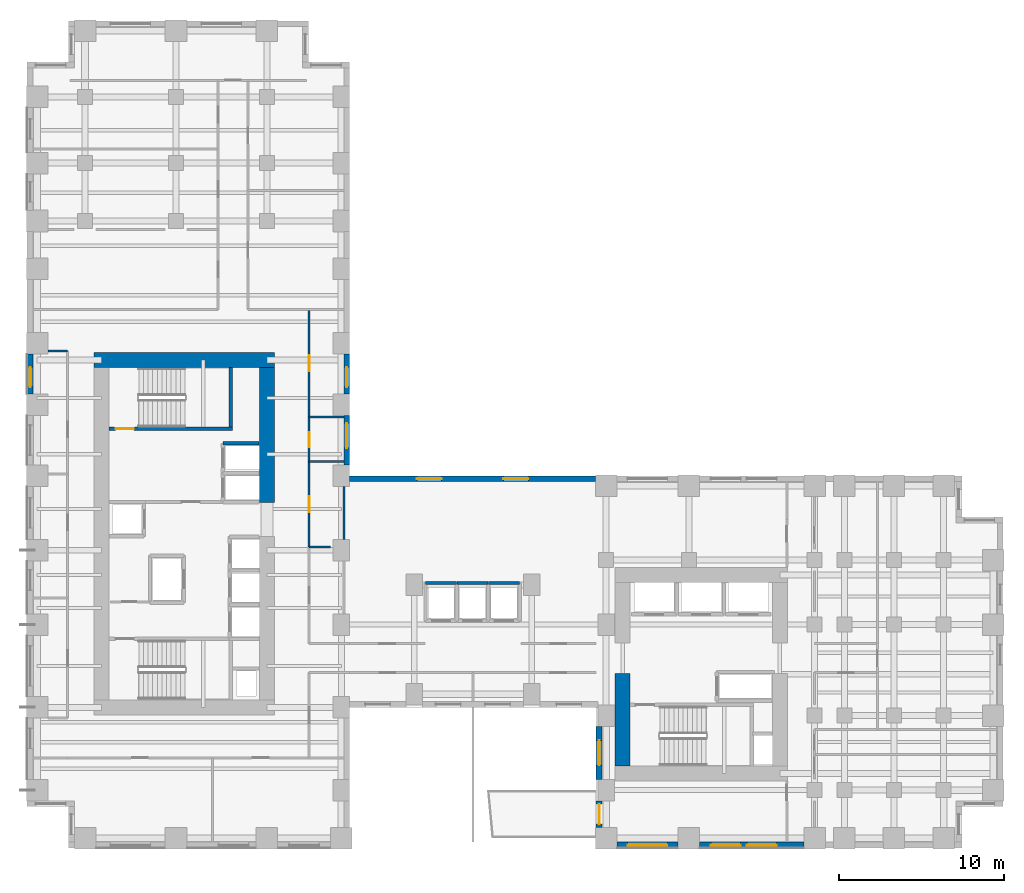
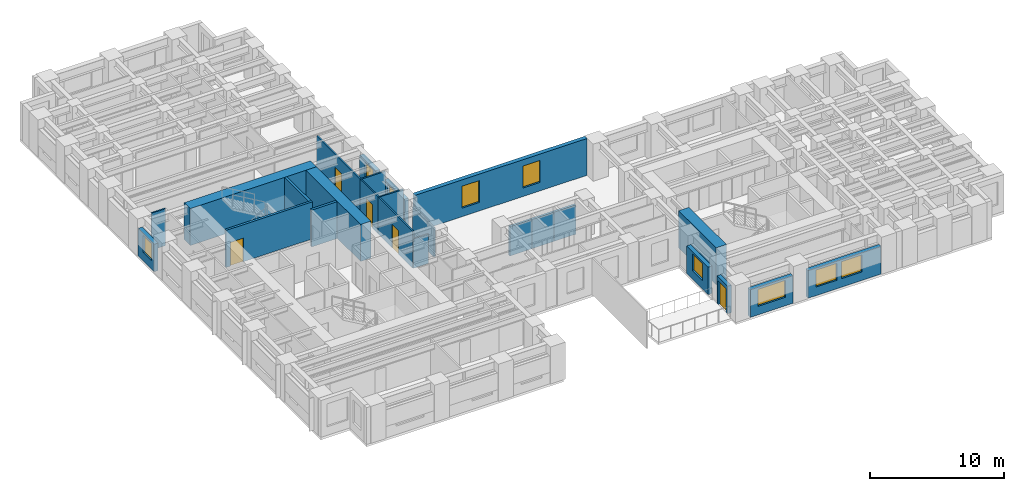
# One storey, part 6 of 13: 25 walls, 9 windows, 5 doors, 14 openings.
"""IFC4 building model written with IfcOpenShell, lengths in metres."""

import ifcopenshell
import ifcopenshell.guid

model = None  # the IFC model being written
_history = None  # IfcOwnerHistory: only IFC2X3 demands one
_inside = {}  # id of a spatial element -> (the spatial element, [elements in it])
_under = {}  # id of a project, library or spatial element -> (it, [spatial elements below it])
_declared = {}  # id of a project -> (the project, [libraries it declares])
_typed = {}  # id of a type object -> (the type object, [elements of that type])
_made_of = {}  # id of a material, layer set ... -> (it, [elements and type objects made of it])


def new_model(schema):
    """Start an empty IFC model of exactly this schema.

    Asked for "IFC4X3", IfcOpenShell would pick the latest addendum, in which some entities
    have other attributes; the version numbers below select the first issue.
    IFC2X3 requires an IfcOwnerHistory on every rooted entity: one is made here for all.
    """
    global model, _history
    if schema == "IFC4X3":
        model = ifcopenshell.file(schema_version=(4, 3, 0, 0))
    else:
        model = ifcopenshell.file(schema=schema)
    _inside.clear()
    _under.clear()
    _declared.clear()
    _typed.clear()
    _made_of.clear()
    _history = None
    if model.schema == "IFC2X3":
        org = make("IfcOrganization", Name="unknown")
        user = make(
            "IfcPersonAndOrganization",
            ThePerson=make("IfcPerson", FamilyName="unknown"),
            TheOrganization=org,
        )
        app = make(
            "IfcApplication",
            ApplicationDeveloper=org,
            Version="unknown",
            ApplicationFullName="unknown",
            ApplicationIdentifier="unknown",
        )
        _history = make(
            "IfcOwnerHistory",
            OwningUser=user,
            OwningApplication=app,
            ChangeAction="ADDED",
            CreationDate=0,
        )
    return model


def make(cls, **values):
    """One entity of the class cls with the attributes given. An attribute that is None is left unset."""
    return model.create_entity(
        cls, **{name: value for name, value in values.items() if value is not None}
    )


def rooted(cls, **values):
    """An entity with a GlobalId (a new one), such as an element, a storey or a relation."""
    return make(cls, GlobalId=ifcopenshell.guid.new(), OwnerHistory=_history, **values)


def si_unit(unit_type, name, prefix=None):
    """IfcSIUnit, for example si_unit("LENGTHUNIT", "METRE", prefix="MILLI")."""
    return make("IfcSIUnit", UnitType=unit_type, Prefix=prefix, Name=name)


def assignment(units):
    """IfcUnitAssignment: the units of a project."""
    return None if units is None else make("IfcUnitAssignment", Units=units)


def point(xyz):
    """IfcCartesianPoint."""
    return None if xyz is None else make("IfcCartesianPoint", Coordinates=xyz)


def direction(xyz):
    """IfcDirection."""
    return None if xyz is None else make("IfcDirection", DirectionRatios=xyz)


def frame(location, z_axis=None, x_axis=None):
    """IfcAxis2Placement3D, a coordinate frame: its origin and axes. An axis left out is left unset."""
    return make(
        "IfcAxis2Placement3D",
        Location=point(location),
        Axis=direction(z_axis),
        RefDirection=direction(x_axis),
    )


def frame_2d(location, x_axis=None):
    """IfcAxis2Placement2D, a coordinate frame in the plane: its origin and x axis."""
    return make(
        "IfcAxis2Placement2D", Location=point(location), RefDirection=direction(x_axis)
    )


def origin():
    """The frame at (0, 0, 0) with its axes left unset."""
    return frame((0.0, 0.0, 0.0))


def place(relative_to, where):
    """IfcLocalPlacement: puts the frame where relative to a parent placement (None: the world)."""
    return make(
        "IfcLocalPlacement", PlacementRelTo=relative_to, RelativePlacement=where
    )


def context(
    kind, dimensions, precision=None, world=None, true_north=None, identifier=None
):
    """IfcGeometricRepresentationContext, for example the 3D "Model" context."""
    return make(
        "IfcGeometricRepresentationContext",
        ContextIdentifier=identifier,
        ContextType=kind,
        CoordinateSpaceDimension=dimensions,
        Precision=precision,
        WorldCoordinateSystem=world,
        TrueNorth=true_north,
    )


def subcontext(parent, identifier, kind, view, scale=None):
    """IfcGeometricRepresentationSubContext, for example "Body" below "Model"."""
    return make(
        "IfcGeometricRepresentationSubContext",
        ContextIdentifier=identifier,
        ContextType=kind,
        ParentContext=parent,
        TargetScale=scale,
        TargetView=view,
    )


def project(units=None, contexts=None):
    """IfcProject with its units and contexts."""
    return rooted(
        "IfcProject",
        Name="project",
        RepresentationContexts=contexts,
        UnitsInContext=assignment(units),
    )


def spatial(cls, under=None, at=None, **own):
    """A site, building, storey or space (cls), placed at a placement, below another one or the project."""
    s = rooted(cls, ObjectPlacement=at, **own)
    if under is not None:
        _under.setdefault(under.id(), (under, []))[1].append(s)
    return s


def profile(cls, at=None, kind="AREA", **sizes):
    """A parametric profile (cls). Its sizes go by their IFC names, for example OverallWidth=200.0."""
    return make(cls, ProfileType=kind, Position=at, **sizes)


def rectangle(**sizes):
    """IfcRectangleProfileDef."""
    return profile("IfcRectangleProfileDef", **sizes)


def extrude(swept, where, along, depth):
    """IfcExtrudedAreaSolid: the profile swept, set in the frame where, extruded along a direction by depth."""
    return make(
        "IfcExtrudedAreaSolid",
        SweptArea=swept,
        Position=where,
        ExtrudedDirection=direction(along),
        Depth=depth,
    )


def shape(context_of_items, identifier, shape_type, items):
    """IfcShapeRepresentation: the items that make up one representation, for example the "Body"."""
    return make(
        "IfcShapeRepresentation",
        ContextOfItems=context_of_items,
        RepresentationIdentifier=identifier,
        RepresentationType=shape_type,
        Items=items,
    )


def source(mapping_origin, context_of_items, identifier, shape_type, items):
    """IfcRepresentationMap: a shape defined once, which mapped items show again and again."""
    return make(
        "IfcRepresentationMap",
        MappingOrigin=mapping_origin,
        MappedRepresentation=shape(context_of_items, identifier, shape_type, items),
    )


def transform(
    local_origin,
    x_axis=None,
    y_axis=None,
    z_axis=None,
    scale=None,
    scale2=None,
    scale3=None,
    uniform=True,
):
    """IfcCartesianTransformationOperator3D, or its non-uniform kind. x_axis, y_axis, z_axis: its Axis1, 2, 3."""
    if uniform:
        return make(
            "IfcCartesianTransformationOperator3D",
            Axis1=direction(x_axis),
            Axis2=direction(y_axis),
            LocalOrigin=point(local_origin),
            Scale=scale,
            Axis3=direction(z_axis),
        )
    return make(
        "IfcCartesianTransformationOperator3DnonUniform",
        Axis1=direction(x_axis),
        Axis2=direction(y_axis),
        LocalOrigin=point(local_origin),
        Scale=scale,
        Axis3=direction(z_axis),
        Scale2=scale2,
        Scale3=scale3,
    )


def mapped(mapping_source, mapping_target):
    """IfcMappedItem: shows the shape of a source again, moved by a transform."""
    return make(
        "IfcMappedItem", MappingSource=mapping_source, MappingTarget=mapping_target
    )


def material(Name=None, Category=None):
    """IfcMaterial."""
    return make("IfcMaterial", Name=Name, Category=Category)


def layer(
    of_material, thickness, ventilated=None, Name=None, Category=None, Priority=None
):
    """IfcMaterialLayer: one layer of a wall or slab, of a material (None: an air gap)."""
    return make(
        "IfcMaterialLayer",
        Material=of_material,
        LayerThickness=thickness,
        IsVentilated=ventilated,
        Name=Name,
        Category=Category,
        Priority=Priority,
    )


def layer_set(layers, Name=None):
    """IfcMaterialLayerSet."""
    return make("IfcMaterialLayerSet", MaterialLayers=layers, LayerSetName=Name)


def made_of(thing, what):
    """Note that an element or type object is made of a material, layer set ...; save() writes the relation."""
    if what is not None:
        _made_of.setdefault(what.id(), (what, []))[1].append(thing)
    return thing


def type_object(cls, material=None, **own):
    """A type object (cls), such as IfcWallType, which elements share."""
    return made_of(rooted(cls, **own), material)


def element(
    cls,
    number,
    at=None,
    inside=None,
    cuts=None,
    type_object=None,
    material=None,
    context=None,
    identifier="Body",
    shape_type=None,
    held_by="IfcProductDefinitionShape",
    body=None,
    shapes=None,
    **own,
):
    """One element of the class cls, such as IfcWall. Its Tag is "e" and its number.

    at: its placement. inside: the storey or other place that contains it. cuts: it is an
    opening in that element (IfcRelVoidsElement). A single representation is given by context,
    identifier, shape_type and body (its items); several are given by shapes. held_by: the class
    of the entity that holds the representations. save() writes the other relations.
    """
    e = rooted(cls, Tag="e%d" % number, ObjectPlacement=at, **own)
    if body is not None:
        shapes = [shape(context, identifier, shape_type, body)]
    if shapes is not None:
        e.Representation = make(held_by, Representations=shapes)
    if inside is not None:
        _inside.setdefault(inside.id(), (inside, []))[1].append(e)
    if cuts is not None:
        rooted(
            "IfcRelVoidsElement", RelatingBuildingElement=cuts, RelatedOpeningElement=e
        )
    if type_object is not None:
        _typed.setdefault(type_object.id(), (type_object, []))[1].append(e)
    return made_of(e, material)


def fill(opening, filler):
    """IfcRelFillsElement: the door or window that sits in an opening."""
    return rooted(
        "IfcRelFillsElement",
        RelatingOpeningElement=opening,
        RelatedBuildingElement=filler,
    )


def aggregate(whole, parts):
    """IfcRelAggregates: a whole, such as a stair, and the parts it consists of."""
    return rooted("IfcRelAggregates", RelatingObject=whole, RelatedObjects=parts)


def save(model, path):
    """Write the relations noted so far, then the file.

    IfcRelAggregates (storeys below a building ...), IfcRelContainedInSpatialStructure (elements
    in a storey), IfcRelDefinesByType, IfcRelAssociatesMaterial and IfcRelDeclares: one each for
    every whole, place, type object, material and project.
    """
    for whole, parts in _under.values():
        aggregate(whole, parts)
    for where, things in _inside.values():
        rooted(
            "IfcRelContainedInSpatialStructure",
            RelatedElements=things,
            RelatingStructure=where,
        )
    for kind, things in _typed.values():
        rooted("IfcRelDefinesByType", RelatedObjects=things, RelatingType=kind)
    for what, things in _made_of.values():
        rooted("IfcRelAssociatesMaterial", RelatedObjects=things, RelatingMaterial=what)
    for by, libraries in _declared.values():
        rooted("IfcRelDeclares", RelatingContext=by, RelatedDefinitions=libraries)
    model.write(path)


model = new_model("IFC4")

# Units and contexts
model_context = context("Model", 3, precision=1e-05, world=origin(), true_north=direction((0.0, 1.0)))
body_context = subcontext(model_context, "Body", "Model", "MODEL_VIEW")
ifc_project = project(units=[si_unit("LENGTHUNIT", "METRE"), si_unit("AREAUNIT", "SQUARE_METRE"), si_unit("VOLUMEUNIT", "CUBIC_METRE"), si_unit("PLANEANGLEUNIT", "RADIAN"), si_unit("MASSUNIT", "GRAM", prefix="KILO")], contexts=[model_context])

# Site, building, storey
site_placement = place(None, origin())
site = spatial("IfcSite", under=ifc_project, at=site_placement, CompositionType="ELEMENT")
building_placement = place(site_placement, origin())
building = spatial("IfcBuilding", under=site, at=building_placement, Name="Kharzan Plaza Tower", CompositionType="ELEMENT")
storey_placement = place(building_placement, frame((0.0, 0.0, 47.699951171875)))
storey = spatial("IfcBuildingStorey", under=building, at=storey_placement, Name="L12", CompositionType="ELEMENT", Elevation=47.699951171875)

# Wall, opening, window
ifc_material_1 = material(Name="Concrete C40/50", Category="concrete")
ifc_layer_1 = layer(ifc_material_1, 0.35009765625)
ifc_layer_set_1 = layer_set([ifc_layer_1], Name="Concrete C40/50")
wall_type_1 = type_object("IfcWallType", Name="WL-EXT-MAS-Z1", PredefinedType="SOLIDWALL", material=ifc_layer_set_1)
wall_1_placement = place(storey_placement, frame((0.175048828125, 29.85205078125, 0.0), z_axis=(0.0, 0.0, 1.0), x_axis=(0.0, -1.0, 0.0)))
wall_1 = element("IfcWall", 1, at=wall_1_placement, inside=storey, type_object=wall_type_1, Name="L12 Masonry-Frame Exterior Wall 14", PredefinedType="SOLIDWALL", context=body_context, shape_type="SweptSolid", body=[
    extrude(rectangle(XDim=2.404052734375, YDim=0.35009765625, at=frame_2d((1.2021484375, 0.0))), origin(), (0.0, 0.0, 1.0), 2.510009765625),
])
opening_1_placement = place(wall_1_placement, frame((0.786865234375, 0.0, 0.780029296875)))
opening_1 = element("IfcOpeningElement", 2, at=opening_1_placement, cuts=wall_1, Name="Opening W3", PredefinedType="OPENING", context=body_context, shape_type="SweptSolid", body=[
    extrude(rectangle(XDim=1.199951171875, YDim=1.550048828125, at=frame_2d((0.60009765625, 0.77490234375))), frame((0.0, 0.18505859375, 0.0), z_axis=(0.0, -1.0, 0.0), x_axis=(1.0, 0.0, 0.0)), (0.0, 0.0, 1.0), 0.3701171875),
])
ifc_material_2 = material(Name="Low-E Double Glazing", Category="glass")
window_type_1 = type_object("IfcWindowType", Name="WN-REC-1200x2100", PartitioningType="SINGLE_PANEL", PredefinedType="WINDOW", material=ifc_material_2)
shared_shape_1 = source(origin(), body_context, "Body", "SweptSolid", [
    extrude(rectangle(XDim=1.199951171875, YDim=1.550048828125, at=frame_2d((0.60009765625, 0.77490234375))), frame((0.0, 0.030029296875, 0.0), z_axis=(0.0, -1.0, 0.0), x_axis=(1.0, 0.0, 0.0)), (0.0, 0.0, 1.0), 0.06005859375),
])
window_1_placement = place(opening_1_placement, origin())
window_1 = element("IfcWindow", 3, at=window_1_placement, inside=storey, type_object=window_type_1, Name="L12 Recessed Solar-Control Window 14-1", OverallHeight=1.550048828125, OverallWidth=1.199951171875, PartitioningType="SINGLE_PANEL", PredefinedType="WINDOW", context=body_context, shape_type="MappedRepresentation", body=[
    mapped(shared_shape_1, transform((0.0, 0.0, 0.0), x_axis=(1.0, 0.0, 0.0), y_axis=(0.0, 1.0, 0.0), z_axis=(0.0, 0.0, 1.0))),
])
fill(opening_1, window_1)

wall_2_placement = place(storey_placement, frame((34.574951171875, 7.35205078125, 0.0), z_axis=(0.0, 0.0, 1.0), x_axis=(0.0, -1.0, 0.0)))
wall_2 = element("IfcWall", 4, at=wall_2_placement, inside=storey, type_object=wall_type_1, Name="L12 Masonry-Frame Exterior Wall 31", PredefinedType="SOLIDWALL", context=body_context, shape_type="SweptSolid", body=[
    extrude(rectangle(XDim=3.2041015625, YDim=0.35009765625, at=frame_2d((1.60205078125, 0.0))), origin(), (0.0, 0.0, 1.0), 2.510009765625),
])
opening_2_placement = place(wall_2_placement, frame((0.85205078125, 0.0, 0.780029296875)))
opening_2 = element("IfcOpeningElement", 5, at=opening_2_placement, cuts=wall_2, Name="Opening W5", PredefinedType="OPENING", context=body_context, shape_type="SweptSolid", body=[
    extrude(rectangle(XDim=1.5, YDim=1.550048828125, at=frame_2d((0.75, 0.77490234375))), frame((0.0, 0.18505859375, 0.0), z_axis=(0.0, -1.0, 0.0), x_axis=(1.0, 0.0, 0.0)), (0.0, 0.0, 1.0), 0.3701171875),
])
window_type_2 = type_object("IfcWindowType", Name="WN-SLT-1500x2000", PartitioningType="SINGLE_PANEL", PredefinedType="WINDOW", material=ifc_material_2)
shared_shape_2 = source(origin(), body_context, "Body", "SweptSolid", [
    extrude(rectangle(XDim=1.5, YDim=1.550048828125, at=frame_2d((0.75, 0.77490234375))), frame((0.0, 0.030029296875, 0.0), z_axis=(0.0, -1.0, 0.0), x_axis=(1.0, 0.0, 0.0)), (0.0, 0.0, 1.0), 0.06005859375),
])
window_2_placement = place(opening_2_placement, origin())
window_2 = element("IfcWindow", 6, at=window_2_placement, inside=storey, type_object=window_type_2, Name="L12 Recessed Solar-Control Window 31-1", OverallHeight=1.550048828125, OverallWidth=1.5, PartitioningType="SINGLE_PANEL", PredefinedType="WINDOW", context=body_context, shape_type="MappedRepresentation", body=[
    mapped(shared_shape_2, transform((0.0, 0.0, 0.0), x_axis=(1.0, 0.0, 0.0), y_axis=(0.0, 1.0, 0.0), z_axis=(0.0, 0.0, 1.0))),
])
fill(opening_2, window_2)

# Wall, opening, door
wall_3_placement = place(storey_placement, frame((34.574951171875, 2.85205078125, 0.0), z_axis=(0.0, 0.0, 1.0), x_axis=(0.0, -1.0, 0.0)))
wall_3 = element("IfcWall", 7, at=wall_3_placement, inside=storey, type_object=wall_type_1, Name="L12 Masonry-Frame Exterior Wall 32", PredefinedType="SOLIDWALL", context=body_context, shape_type="SweptSolid", body=[
    extrude(rectangle(XDim=1.60400390625, YDim=0.35009765625, at=frame_2d((0.802001953125, 0.0))), origin(), (0.0, 0.0, 1.0), 2.510009765625),
])
opening_3_placement = place(wall_3_placement, frame((0.201904296875, 0.0, 0.0)))
opening_3 = element("IfcOpeningElement", 8, at=opening_3_placement, cuts=wall_3, Name="Opening ED3", PredefinedType="OPENING", context=body_context, shape_type="SweptSolid", body=[
    extrude(rectangle(XDim=1.199951171875, YDim=2.14990234375, at=frame_2d((0.60009765625, 1.074951171875))), frame((0.0, 0.18505859375, 0.0), z_axis=(0.0, -1.0, 0.0), x_axis=(1.0, 0.0, 0.0)), (0.0, 0.0, 1.0), 0.3701171875),
])
ifc_material_3 = material(Name="Thermally Broken Anodized Bronze Aluminium", Category="aluminium")
door_type_1 = type_object("IfcDoorType", Name="DR-EXT-TRAY-1200", OperationType="SINGLE_SWING_LEFT", PredefinedType="DOOR", material=ifc_material_3)
shared_shape_3 = source(origin(), body_context, "Body", "SweptSolid", [
    extrude(rectangle(XDim=1.199951171875, YDim=2.14990234375, at=frame_2d((0.60009765625, 1.074951171875))), frame((0.0, 0.02490234375, 0.0), z_axis=(0.0, -1.0, 0.0), x_axis=(1.0, 0.0, 0.0)), (0.0, 0.0, 1.0), 0.050048828125),
])
door_1_placement = place(opening_3_placement, frame((1.199951171875, 0.0, 0.0), z_axis=(0.0, 0.0, 1.0), x_axis=(-1.0, 0.0, 0.0)))
door_1 = element("IfcDoor", 9, at=door_1_placement, inside=storey, type_object=door_type_1, Name="L12 Cantilevered Sky-Terrace Tray Access Door", OperationType="SINGLE_SWING_LEFT", OverallHeight=2.14990234375, OverallWidth=1.199951171875, PredefinedType="DOOR", context=body_context, shape_type="MappedRepresentation", body=[
    mapped(shared_shape_3, transform((0.0, 0.0, 0.0), x_axis=(1.0, 0.0, 0.0), y_axis=(0.0, 1.0, 0.0), z_axis=(0.0, 0.0, 1.0))),
])
fill(opening_3, door_1)

# Wall, opening, window
wall_4_placement = place(storey_placement, frame((35.64794921875, 0.175048828125, 0.0), z_axis=(0.0, 0.0, 1.0), x_axis=(1.0, 0.0, 0.0)))
wall_4 = element("IfcWall", 10, at=wall_4_placement, inside=storey, type_object=wall_type_1, Name="L12 Masonry-Frame Exterior Wall 33", PredefinedType="SOLIDWALL", context=body_context, shape_type="SweptSolid", body=[
    extrude(rectangle(XDim=3.7041015625, YDim=0.35009765625, at=frame_2d((1.85205078125, 0.0))), origin(), (0.0, 0.0, 1.0), 2.510009765625),
])
opening_4_placement = place(wall_4_placement, frame((0.652099609375, 0.0, 0.780029296875)))
opening_4 = element("IfcOpeningElement", 11, at=opening_4_placement, cuts=wall_4, Name="Opening W2", PredefinedType="OPENING", context=body_context, shape_type="SweptSolid", body=[
    extrude(rectangle(XDim=2.39990234375, YDim=1.550048828125, at=frame_2d((1.199951171875, 0.77490234375))), frame((0.0, 0.18505859375, 0.0), z_axis=(0.0, -1.0, 0.0), x_axis=(1.0, 0.0, 0.0)), (0.0, 0.0, 1.0), 0.3701171875),
])
window_type_3 = type_object("IfcWindowType", Name="WN-REC-2400x2100", PartitioningType="SINGLE_PANEL", PredefinedType="WINDOW", material=ifc_material_2)
shared_shape_4 = source(origin(), body_context, "Body", "SweptSolid", [
    extrude(rectangle(XDim=2.39990234375, YDim=1.550048828125, at=frame_2d((1.199951171875, 0.77490234375))), frame((0.0, 0.030029296875, 0.0), z_axis=(0.0, -1.0, 0.0), x_axis=(1.0, 0.0, 0.0)), (0.0, 0.0, 1.0), 0.06005859375),
])
window_3_placement = place(opening_4_placement, origin())
window_3 = element("IfcWindow", 12, at=window_3_placement, inside=storey, type_object=window_type_3, Name="L12 Wide Recessed Solar-Control Window 33-1", OverallHeight=1.550048828125, OverallWidth=2.39990234375, PartitioningType="SINGLE_PANEL", PredefinedType="WINDOW", context=body_context, shape_type="MappedRepresentation", body=[
    mapped(shared_shape_4, transform((0.0, 0.0, 0.0), x_axis=(1.0, 0.0, 0.0), y_axis=(0.0, 1.0, 0.0), z_axis=(0.0, 0.0, 1.0))),
])
fill(opening_4, window_3)

# Wall, openings, windows
wall_5_placement = place(storey_placement, frame((40.64794921875, 0.175048828125, 0.0), z_axis=(0.0, 0.0, 1.0), x_axis=(1.0, 0.0, 0.0)))
wall_5 = element("IfcWall", 13, at=wall_5_placement, inside=storey, type_object=wall_type_1, Name="L12 Masonry-Frame Exterior Wall 34", PredefinedType="SOLIDWALL", context=body_context, shape_type="SweptSolid", body=[
    extrude(rectangle(XDim=6.303955078125, YDim=0.35009765625, at=frame_2d((3.15185546875, 0.0))), origin(), (0.0, 0.0, 1.0), 2.510009765625),
])
opening_5_placement = place(wall_5_placement, frame((0.687255859375, 0.0, 0.780029296875)))
opening_5 = element("IfcOpeningElement", 14, at=opening_5_placement, cuts=wall_5, Name="Opening W1", PredefinedType="OPENING", context=body_context, shape_type="SweptSolid", body=[
    extrude(rectangle(XDim=1.800048828125, YDim=1.550048828125, at=frame_2d((0.89990234375, 0.77490234375))), frame((0.0, 0.18505859375, 0.0), z_axis=(0.0, -1.0, 0.0), x_axis=(1.0, 0.0, 0.0)), (0.0, 0.0, 1.0), 0.3701171875),
])
opening_6_placement = place(wall_5_placement, frame((2.854736328125, 0.0, 0.780029296875)))
opening_6 = element("IfcOpeningElement", 15, at=opening_6_placement, cuts=wall_5, Name="Opening W1", PredefinedType="OPENING", context=body_context, shape_type="SweptSolid", body=[
    extrude(rectangle(XDim=1.800048828125, YDim=1.550048828125, at=frame_2d((0.89990234375, 0.77490234375))), frame((0.0, 0.18505859375, 0.0), z_axis=(0.0, -1.0, 0.0), x_axis=(1.0, 0.0, 0.0)), (0.0, 0.0, 1.0), 0.3701171875),
])
window_type_4 = type_object("IfcWindowType", Name="WN-REC-1800x2100", PartitioningType="SINGLE_PANEL", PredefinedType="WINDOW", material=ifc_material_2)
shared_shape_5 = source(origin(), body_context, "Body", "SweptSolid", [
    extrude(rectangle(XDim=1.800048828125, YDim=1.550048828125, at=frame_2d((0.89990234375, 0.77490234375))), frame((0.0, 0.030029296875, 0.0), z_axis=(0.0, -1.0, 0.0), x_axis=(1.0, 0.0, 0.0)), (0.0, 0.0, 1.0), 0.06005859375),
])
window_4_placement = place(opening_5_placement, origin())
window_4 = element("IfcWindow", 16, at=window_4_placement, inside=storey, type_object=window_type_4, Name="L12 Recessed Solar-Control Window 34-1", OverallHeight=1.550048828125, OverallWidth=1.800048828125, PartitioningType="SINGLE_PANEL", PredefinedType="WINDOW", context=body_context, shape_type="MappedRepresentation", body=[
    mapped(shared_shape_5, transform((0.0, 0.0, 0.0), x_axis=(1.0, 0.0, 0.0), y_axis=(0.0, 1.0, 0.0), z_axis=(0.0, 0.0, 1.0))),
])
fill(opening_5, window_4)
window_5_placement = place(opening_6_placement, origin())
window_5 = element("IfcWindow", 17, at=window_5_placement, inside=storey, type_object=window_type_4, Name="L12 Recessed Solar-Control Window 34-2", OverallHeight=1.550048828125, OverallWidth=1.800048828125, PartitioningType="SINGLE_PANEL", PredefinedType="WINDOW", context=body_context, shape_type="MappedRepresentation", body=[
    mapped(shared_shape_5, transform((0.0, 0.0, 0.0), x_axis=(1.0, 0.0, 0.0), y_axis=(0.0, 1.0, 0.0), z_axis=(0.0, 0.0, 1.0))),
])
fill(opening_6, window_5)

wall_6_placement = place(storey_placement, frame((34.35205078125, 22.324951171875, 0.0), z_axis=(0.0, 0.0, 1.0), x_axis=(-1.0, 0.0, 0.0)))
wall_6 = element("IfcWall", 18, at=wall_6_placement, inside=storey, type_object=wall_type_1, Name="L12 Masonry-Frame Exterior Wall 53", PredefinedType="SOLIDWALL", context=body_context, shape_type="SweptSolid", body=[
    extrude(rectangle(XDim=14.85400390625, YDim=0.35009765625, at=frame_2d((7.427001953125, 0.0))), origin(), (0.0, 0.0, 1.0), 3.364990234375),
])
opening_7_placement = place(wall_6_placement, frame((4.05810546875, 0.0, 0.780029296875)))
opening_7 = element("IfcOpeningElement", 19, at=opening_7_placement, cuts=wall_6, Name="Opening W5", PredefinedType="OPENING", context=body_context, shape_type="SweptSolid", body=[
    extrude(rectangle(XDim=1.5, YDim=2.0, at=frame_2d((0.75, 1.0))), frame((0.0, 0.18505859375, 0.0), z_axis=(0.0, -1.0, 0.0), x_axis=(1.0, 0.0, 0.0)), (0.0, 0.0, 1.0), 0.3701171875),
])
opening_8_placement = place(wall_6_placement, frame((9.2958984375, 0.0, 0.780029296875)))
opening_8 = element("IfcOpeningElement", 20, at=opening_8_placement, cuts=wall_6, Name="Opening W5", PredefinedType="OPENING", context=body_context, shape_type="SweptSolid", body=[
    extrude(rectangle(XDim=1.5, YDim=2.0, at=frame_2d((0.75, 1.0))), frame((0.0, 0.18505859375, 0.0), z_axis=(0.0, -1.0, 0.0), x_axis=(1.0, 0.0, 0.0)), (0.0, 0.0, 1.0), 0.3701171875),
])
shared_shape_6 = source(origin(), body_context, "Body", "SweptSolid", [
    extrude(rectangle(XDim=1.5, YDim=2.0, at=frame_2d((0.75, 1.0))), frame((0.0, 0.030029296875, 0.0), z_axis=(0.0, -1.0, 0.0), x_axis=(1.0, 0.0, 0.0)), (0.0, 0.0, 1.0), 0.06005859375),
])
window_6_placement = place(opening_7_placement, origin())
window_6 = element("IfcWindow", 21, at=window_6_placement, inside=storey, type_object=window_type_2, Name="L12 Recessed Solar-Control Window 53-1", OverallHeight=2.0, OverallWidth=1.5, PartitioningType="SINGLE_PANEL", PredefinedType="WINDOW", context=body_context, shape_type="MappedRepresentation", body=[
    mapped(shared_shape_6, transform((0.0, 0.0, 0.0), x_axis=(1.0, 0.0, 0.0), y_axis=(0.0, 1.0, 0.0), z_axis=(0.0, 0.0, 1.0))),
])
fill(opening_7, window_6)
window_7_placement = place(opening_8_placement, origin())
window_7 = element("IfcWindow", 22, at=window_7_placement, inside=storey, type_object=window_type_2, Name="L12 Recessed Solar-Control Window 53-2", OverallHeight=2.0, OverallWidth=1.5, PartitioningType="SINGLE_PANEL", PredefinedType="WINDOW", context=body_context, shape_type="MappedRepresentation", body=[
    mapped(shared_shape_6, transform((0.0, 0.0, 0.0), x_axis=(1.0, 0.0, 0.0), y_axis=(0.0, 1.0, 0.0), z_axis=(0.0, 0.0, 1.0))),
])
fill(opening_8, window_7)

# Wall, opening, window
wall_7_placement = place(storey_placement, frame((19.324951171875, 23.14794921875, 0.0), z_axis=(0.0, 0.0, 1.0), x_axis=(0.0, 1.0, 0.0)))
wall_7 = element("IfcWall", 23, at=wall_7_placement, inside=storey, type_object=wall_type_1, Name="L12 Masonry-Frame Exterior Wall 54", PredefinedType="SOLIDWALL", context=body_context, shape_type="SweptSolid", body=[
    extrude(rectangle(XDim=3.004150390625, YDim=0.35009765625, at=frame_2d((1.501953125, 0.0))), origin(), (0.0, 0.0, 1.0), 2.510009765625),
])
opening_9_placement = place(wall_7_placement, frame((1.030517578125, 0.0, 0.780029296875)))
opening_9 = element("IfcOpeningElement", 24, at=opening_9_placement, cuts=wall_7, Name="Opening W5", PredefinedType="OPENING", context=body_context, shape_type="SweptSolid", body=[
    extrude(rectangle(XDim=1.5, YDim=1.550048828125, at=frame_2d((0.75, 0.77490234375))), frame((0.0, 0.18505859375, 0.0), z_axis=(0.0, -1.0, 0.0), x_axis=(1.0, 0.0, 0.0)), (0.0, 0.0, 1.0), 0.3701171875),
])
window_8_placement = place(opening_9_placement, origin())
window_8 = element("IfcWindow", 25, at=window_8_placement, inside=storey, type_object=window_type_2, Name="L12 Recessed Solar-Control Window 54-1", OverallHeight=1.550048828125, OverallWidth=1.5, PartitioningType="SINGLE_PANEL", PredefinedType="WINDOW", context=body_context, shape_type="MappedRepresentation", body=[
    mapped(shared_shape_2, transform((0.0, 0.0, 0.0), x_axis=(1.0, 0.0, 0.0), y_axis=(0.0, 1.0, 0.0), z_axis=(0.0, 0.0, 1.0))),
])
fill(opening_9, window_8)

wall_8_placement = place(storey_placement, frame((19.324951171875, 27.447998046875, 0.0), z_axis=(0.0, 0.0, 1.0), x_axis=(0.0, 1.0, 0.0)))
wall_8 = element("IfcWall", 26, at=wall_8_placement, inside=storey, type_object=wall_type_1, Name="L12 Masonry-Frame Exterior Wall 55", PredefinedType="SOLIDWALL", context=body_context, shape_type="SweptSolid", body=[
    extrude(rectangle(XDim=2.404052734375, YDim=0.35009765625, at=frame_2d((1.2021484375, 0.0))), origin(), (0.0, 0.0, 1.0), 2.510009765625),
])
opening_10_placement = place(wall_8_placement, frame((0.417236328125, 0.0, 0.780029296875)))
opening_10 = element("IfcOpeningElement", 27, at=opening_10_placement, cuts=wall_8, Name="Opening W3", PredefinedType="OPENING", context=body_context, shape_type="SweptSolid", body=[
    extrude(rectangle(XDim=1.199951171875, YDim=1.550048828125, at=frame_2d((0.60009765625, 0.77490234375))), frame((0.0, 0.18505859375, 0.0), z_axis=(0.0, -1.0, 0.0), x_axis=(1.0, 0.0, 0.0)), (0.0, 0.0, 1.0), 0.3701171875),
])
window_9_placement = place(opening_10_placement, origin())
window_9 = element("IfcWindow", 28, at=window_9_placement, inside=storey, type_object=window_type_1, Name="L12 Recessed Solar-Control Window 55-1", OverallHeight=1.550048828125, OverallWidth=1.199951171875, PartitioningType="SINGLE_PANEL", PredefinedType="WINDOW", context=body_context, shape_type="MappedRepresentation", body=[
    mapped(shared_shape_1, transform((0.0, 0.0, 0.0), x_axis=(1.0, 0.0, 0.0), y_axis=(0.0, 1.0, 0.0), z_axis=(0.0, 0.0, 1.0))),
])
fill(opening_10, window_9)

# Wall, opening, door
ifc_material_4 = material(Name="Fire-Rated Gypsum Board Partition", Category="gypsum")
ifc_layer_2 = layer(ifc_material_4, 0.125)
ifc_layer_set_2 = layer_set([ifc_layer_2], Name="Fire-Rated Gypsum Board Partition")
wall_type_2 = type_object("IfcWallType", Name="WL-INT-PART-125", PredefinedType="PARTITIONING", material=ifc_layer_set_2)
wall_9_placement = place(storey_placement, frame((17.050048828125, 18.199951171875, 0.0), z_axis=(0.0, 0.0, 1.0), x_axis=(0.0, 1.0, 0.0)))
wall_9 = element("IfcWall", 29, at=wall_9_placement, inside=storey, type_object=wall_type_2, Name="L12 Interior Partition SH-AEWN2", PredefinedType="PARTITIONING", context=body_context, shape_type="SweptSolid", body=[
    extrude(rectangle(XDim=5.150146484375, YDim=0.125, at=frame_2d((2.5751953125, 0.0))), origin(), (0.0, 0.0, 1.0), 3.364990234375),
])
opening_11_placement = place(wall_9_placement, frame((2.10009765625, 0.0, 0.0)))
opening_11 = element("IfcOpeningElement", 30, at=opening_11_placement, cuts=wall_9, Name="Opening OD1", PredefinedType="OPENING", context=body_context, shape_type="SweptSolid", body=[
    extrude(rectangle(XDim=0.949951171875, YDim=2.14990234375, at=frame_2d((0.47509765625, 1.074951171875))), frame((0.0, 0.072509765625, 0.0), z_axis=(0.0, -1.0, 0.0), x_axis=(1.0, 0.0, 0.0)), (0.0, 0.0, 1.0), 0.14501953125),
])
ifc_material_5 = material(Name="Acoustic Solid-Core Stained Oak", Category="timber")
door_type_2 = type_object("IfcDoorType", Name="DR-OFF-SINGLE", OperationType="NOTDEFINED", PredefinedType="DOOR", material=ifc_material_5)
shared_shape_7 = source(origin(), body_context, "Body", "SweptSolid", [
    extrude(rectangle(XDim=0.949951171875, YDim=2.14990234375, at=frame_2d((0.47509765625, 1.074951171875))), frame((0.0, 0.02490234375, 0.0), z_axis=(0.0, -1.0, 0.0), x_axis=(1.0, 0.0, 0.0)), (0.0, 0.0, 1.0), 0.050048828125),
])
door_2_placement = place(opening_11_placement, origin())
door_2 = element("IfcDoor", 31, at=door_2_placement, inside=storey, type_object=door_type_2, Name="L12 Slot Studio Door", OperationType="SINGLE_SWING_RIGHT", OverallHeight=2.14990234375, OverallWidth=0.949951171875, PredefinedType="DOOR", context=body_context, shape_type="MappedRepresentation", body=[
    mapped(shared_shape_7, transform((0.0, 0.0, 0.0), x_axis=(1.0, 0.0, 0.0), y_axis=(0.0, 1.0, 0.0), z_axis=(0.0, 0.0, 1.0))),
])
fill(opening_11, door_2)

wall_10_placement = place(storey_placement, frame((17.050048828125, 26.050048828125, 0.0), z_axis=(0.0, 0.0, 1.0), x_axis=(0.0, 1.0, 0.0)))
wall_10 = element("IfcWall", 32, at=wall_10_placement, inside=storey, type_object=wall_type_2, Name="L12 Interior Partition SH-AEWN3", PredefinedType="PARTITIONING", context=body_context, shape_type="SweptSolid", body=[
    extrude(rectangle(XDim=6.5, YDim=0.125, at=frame_2d((3.25, 0.0))), origin(), (0.0, 0.0, 1.0), 3.364990234375),
])
opening_12_placement = place(wall_10_placement, frame((2.77490234375, 0.0, 0.0)))
opening_12 = element("IfcOpeningElement", 33, at=opening_12_placement, cuts=wall_10, Name="Opening OD1", PredefinedType="OPENING", context=body_context, shape_type="SweptSolid", body=[
    extrude(rectangle(XDim=0.949951171875, YDim=2.14990234375, at=frame_2d((0.47509765625, 1.074951171875))), frame((0.0, 0.072509765625, 0.0), z_axis=(0.0, -1.0, 0.0), x_axis=(1.0, 0.0, 0.0)), (0.0, 0.0, 1.0), 0.14501953125),
])
door_3_placement = place(opening_12_placement, origin())
door_3 = element("IfcDoor", 34, at=door_3_placement, inside=storey, type_object=door_type_2, Name="L12 Staff Tea Point Door", OperationType="SINGLE_SWING_RIGHT", OverallHeight=2.14990234375, OverallWidth=0.949951171875, PredefinedType="DOOR", context=body_context, shape_type="MappedRepresentation", body=[
    mapped(shared_shape_7, transform((0.0, 0.0, 0.0), x_axis=(1.0, 0.0, 0.0), y_axis=(0.0, 1.0, 0.0), z_axis=(0.0, 0.0, 1.0))),
])
fill(opening_12, door_3)

wall_11_placement = place(storey_placement, frame((17.050048828125, 23.35009765625, 0.0), z_axis=(0.0, 0.0, 1.0), x_axis=(0.0, 1.0, 0.0)))
wall_11 = element("IfcWall", 35, at=wall_11_placement, inside=storey, type_object=wall_type_2, Name="L12 Interior Partition SH-AEWW", PredefinedType="PARTITIONING", context=body_context, shape_type="SweptSolid", body=[
    extrude(rectangle(XDim=2.699951171875, YDim=0.125, at=frame_2d((1.35009765625, 0.0))), origin(), (0.0, 0.0, 1.0), 3.364990234375),
])
opening_13_placement = place(wall_11_placement, frame((0.875, 0.0, 0.0)))
opening_13 = element("IfcOpeningElement", 36, at=opening_13_placement, cuts=wall_11, Name="Opening WD1", PredefinedType="OPENING", context=body_context, shape_type="SweptSolid", body=[
    extrude(rectangle(XDim=0.89990234375, YDim=2.14990234375, at=frame_2d((0.449951171875, 1.074951171875))), frame((0.0, 0.072509765625, 0.0), z_axis=(0.0, -1.0, 0.0), x_axis=(1.0, 0.0, 0.0)), (0.0, 0.0, 1.0), 0.14501953125),
])
ifc_material_6 = material(Name="Moisture-Resistant Fire-Rated Laminate", Category="timber")
door_type_3 = type_object("IfcDoorType", Name="DR-WC-900", OperationType="NOTDEFINED", PredefinedType="DOOR", material=ifc_material_6)
shared_shape_8 = source(origin(), body_context, "Body", "SweptSolid", [
    extrude(rectangle(XDim=0.89990234375, YDim=2.14990234375, at=frame_2d((0.449951171875, 1.074951171875))), frame((0.0, 0.02490234375, 0.0), z_axis=(0.0, -1.0, 0.0), x_axis=(1.0, 0.0, 0.0)), (0.0, 0.0, 1.0), 0.050048828125),
])
door_4_placement = place(opening_13_placement, origin())
door_4 = element("IfcDoor", 37, at=door_4_placement, inside=storey, type_object=door_type_3, Name="L12 Wing A Washroom Door", OperationType="SINGLE_SWING_LEFT", OverallHeight=2.14990234375, OverallWidth=0.89990234375, PredefinedType="DOOR", context=body_context, shape_type="MappedRepresentation", body=[
    mapped(shared_shape_8, transform((0.0, 0.0, 0.0), x_axis=(1.0, 0.0, 0.0), y_axis=(0.0, 1.0, 0.0), z_axis=(0.0, 0.0, 1.0))),
])
fill(opening_13, door_4)

ifc_material_7 = material(Name="Concrete C50/60", Category="concrete")
ifc_layer_3 = layer(ifc_material_7, 0.199951171875)
ifc_layer_set_3 = layer_set([ifc_layer_3], Name="Concrete C50/60")
wall_type_3 = type_object("IfcWallType", Name="WL-SHAFT-RC200", PredefinedType="SHEAR", material=ifc_layer_set_3)
wall_12_placement = place(storey_placement, frame((4.951904296875, 25.344970703125, 0.0), z_axis=(0.0, 0.0, 1.0), x_axis=(1.0, 0.0, 0.0)))
wall_12 = element("IfcWall", 38, at=wall_12_placement, inside=storey, type_object=wall_type_3, Name="L12 Stair ST-2 South RC Shaft Wall", PredefinedType="SHEAR", context=body_context, shape_type="SweptSolid", body=[
    extrude(rectangle(XDim=7.453125, YDim=0.199951171875, at=frame_2d((3.7265625, 0.0))), origin(), (0.0, 0.0, 1.0), 3.380126953125),
])
opening_14_placement = place(wall_12_placement, frame((0.39990234375, 0.0, 0.0)))
opening_14 = element("IfcOpeningElement", 39, at=opening_14_placement, cuts=wall_12, Name="Opening SD1", PredefinedType="OPENING", context=body_context, shape_type="SweptSolid", body=[
    extrude(rectangle(XDim=1.10009765625, YDim=2.14990234375, at=frame_2d((0.550048828125, 1.074951171875))), frame((0.0, 0.10986328125, 0.0), z_axis=(0.0, -1.0, 0.0), x_axis=(1.0, 0.0, 0.0)), (0.0, 0.0, 1.0), 0.219970703125),
])
ifc_material_8 = material(Name="Fire-Rated Hollow Galvanized Steel", Category="steel")
door_type_4 = type_object("IfcDoorType", Name="DR-STAIR-FD120", OperationType="NOTDEFINED", PredefinedType="DOOR", material=ifc_material_8)
shared_shape_9 = source(origin(), body_context, "Body", "SweptSolid", [
    extrude(rectangle(XDim=1.10009765625, YDim=2.14990234375, at=frame_2d((0.550048828125, 1.074951171875))), frame((0.0, 0.02490234375, 0.0), z_axis=(0.0, -1.0, 0.0), x_axis=(1.0, 0.0, 0.0)), (0.0, 0.0, 1.0), 0.050048828125),
])
door_5_placement = place(opening_14_placement, origin())
door_5 = element("IfcDoor", 40, at=door_5_placement, inside=storey, type_object=door_type_4, Name="L12 Stair ST-2 Fire Exit Door", OperationType="SINGLE_SWING_LEFT", OverallHeight=2.14990234375, OverallWidth=1.10009765625, PredefinedType="DOOR", context=body_context, shape_type="MappedRepresentation", body=[
    mapped(shared_shape_9, transform((0.0, 0.0, 0.0), x_axis=(1.0, 0.0, 0.0), y_axis=(0.0, 1.0, 0.0), z_axis=(0.0, 0.0, 1.0))),
])
fill(opening_14, door_5)

# Walls
shared_shape_10 = source(origin(), body_context, "Body", "SweptSolid", [
    extrude(rectangle(XDim=1.18994140625, YDim=0.125, at=frame_2d((0.594970703125, 0.0))), origin(), (0.0, 0.0, 1.0), 3.364990234375),
])
wall_13_placement = place(storey_placement, frame((1.260009765625, 30.050048828125, 0.0), z_axis=(0.0, 0.0, 1.0), x_axis=(1.0, 0.0, 0.0)))
element("IfcWall", 41, at=wall_13_placement, inside=storey, type_object=wall_type_2, Name="L12 Interior Partition SH-RWN0", PredefinedType="PARTITIONING", context=body_context, shape_type="MappedRepresentation", body=[
    mapped(shared_shape_10, transform((0.0, 0.0, 0.0), x_axis=(1.0, 0.0, 0.0), y_axis=(0.0, 1.0, 0.0), z_axis=(0.0, 0.0, 1.0))),
])
ifc_layer_4 = layer(ifc_material_1, 0.199951171875)
ifc_layer_set_4 = layer_set([ifc_layer_4], Name="Concrete C40/50")
wall_type_4 = type_object("IfcWallType", Name="WL-INT-SHAFT-200", PredefinedType="PARTITIONING", material=ifc_layer_set_4)
shared_shape_11 = source(origin(), body_context, "Body", "SweptSolid", [
    extrude(rectangle(XDim=2.18994140625, YDim=0.199951171875, at=frame_2d((1.094970703125, 0.0))), origin(), (0.0, 0.0, 1.0), 3.364990234375),
])
wall_14_placement = place(storey_placement, frame((11.830078125, 24.4599609375, 0.0), z_axis=(0.0, 0.0, 1.0), x_axis=(1.0, 0.0, 0.0)))
element("IfcWall", 42, at=wall_14_placement, inside=storey, type_object=wall_type_4, Name="L12 Interior Partition SHF-FFL-2-N", PredefinedType="PARTITIONING", context=body_context, shape_type="MappedRepresentation", body=[
    mapped(shared_shape_11, transform((0.0, 0.0, 0.0), x_axis=(1.0, 0.0, 0.0), y_axis=(0.0, 1.0, 0.0), z_axis=(0.0, 0.0, 1.0))),
])
shared_shape_12 = source(origin(), body_context, "Body", "SweptSolid", [
    extrude(rectangle(XDim=2.097900390625, YDim=0.125, at=frame_2d((1.048828125, 0.0))), origin(), (0.0, 0.0, 1.0), 3.364990234375),
])
for number, where, z_axis, x_axis, name in (
    (43, (17.050048828125, 23.35009765625, 0.0), (0.0, 0.0, 1.0), (1.0, 0.0, 0.0), "L12 Interior Partition SH-AEH-233"),
    (44, (17.050048828125, 26.050048828125, 0.0), (0.0, 0.0, 1.0), (1.0, 0.0, 0.0), "L12 Interior Partition SH-AEH-260"),
):
    element("IfcWall", number, at=place(storey_placement, frame(where, z_axis=z_axis, x_axis=x_axis)), inside=storey, type_object=wall_type_2, Name=name, PredefinedType="PARTITIONING", context=body_context, shape_type="MappedRepresentation", body=[
        mapped(shared_shape_12, transform((0.0, 0.0, 0.0), x_axis=(1.0, 0.0, 0.0), y_axis=(0.0, 1.0, 0.0), z_axis=(0.0, 0.0, 1.0))),
    ])
ifc_material_9 = material(Name="Concrete C60/75", Category="concrete")
ifc_layer_5 = layer(ifc_material_9, 0.89990234375)
ifc_layer_set_5 = layer_set([ifc_layer_5], Name="Concrete C60/75")
wall_type_5 = type_object("IfcWallType", Name="WL-CORE-900", PredefinedType="SHEAR", material=ifc_layer_set_5)
shared_shape_13 = source(origin(), body_context, "Body", "SweptSolid", [
    extrude(rectangle(XDim=8.170166015625, YDim=0.89990234375, at=frame_2d((4.0849609375, 0.0))), origin(), (0.0, 0.0, 1.0), 3.380126953125),
])
wall_15_placement = place(storey_placement, frame((14.5, 20.8798828125, 0.0), z_axis=(0.0, 0.0, 1.0), x_axis=(0.0, 1.0, 0.0)))
element("IfcWall", 45, at=wall_15_placement, inside=storey, type_object=wall_type_5, Name="L12 CORE-A east shear pier 2", PredefinedType="SHEAR", context=body_context, shape_type="MappedRepresentation", body=[
    mapped(shared_shape_13, transform((0.0, 0.0, 0.0), x_axis=(1.0, 0.0, 0.0), y_axis=(0.0, 1.0, 0.0), z_axis=(0.0, 0.0, 1.0))),
])
shared_shape_14 = source(origin(), body_context, "Body", "SweptSolid", [
    extrude(rectangle(XDim=10.89990234375, YDim=0.89990234375, at=frame_2d((5.449951171875, 0.0))), origin(), (0.0, 0.0, 1.0), 3.380126953125),
])
wall_16_placement = place(storey_placement, frame((4.050048828125, 29.5, 0.0), z_axis=(0.0, 0.0, 1.0), x_axis=(1.0, 0.0, 0.0)))
element("IfcWall", 46, at=wall_16_placement, inside=storey, type_object=wall_type_5, Name="L12 CORE-A north RC shear wall", PredefinedType="SHEAR", context=body_context, shape_type="MappedRepresentation", body=[
    mapped(shared_shape_14, transform((0.0, 0.0, 0.0), x_axis=(1.0, 0.0, 0.0), y_axis=(0.0, 1.0, 0.0), z_axis=(0.0, 0.0, 1.0))),
])
shared_shape_15 = source(origin(), body_context, "Body", "SweptSolid", [
    extrude(rectangle(XDim=5.60009765625, YDim=0.89990234375, at=frame_2d((2.800048828125, 0.0))), origin(), (0.0, 0.0, 1.0), 3.380126953125),
])
wall_17_placement = place(storey_placement, frame((36.0, 4.949951171875, 0.0), z_axis=(0.0, 0.0, 1.0), x_axis=(0.0, 1.0, 0.0)))
element("IfcWall", 47, at=wall_17_placement, inside=storey, type_object=wall_type_5, Name="L12 CORE-B west shear pier 1", PredefinedType="SHEAR", context=body_context, shape_type="MappedRepresentation", body=[
    mapped(shared_shape_15, transform((0.0, 0.0, 0.0), x_axis=(1.0, 0.0, 0.0), y_axis=(0.0, 1.0, 0.0), z_axis=(0.0, 0.0, 1.0))),
])
shared_shape_16 = source(origin(), body_context, "Body", "SweptSolid", [
    extrude(rectangle(XDim=3.18017578125, YDim=0.125, at=frame_2d((1.590087890625, 0.0))), origin(), (0.0, 0.0, 1.0), 2.670166015625),
])
wall_18_placement = place(storey_placement, frame((19.14990234375, 18.659912109375, 0.0), z_axis=(0.0, 0.0, 1.0), x_axis=(0.0, 1.0, 0.0)))
element("IfcWall", 48, at=wall_18_placement, inside=storey, type_object=wall_type_2, Name="L12 Interior Partition SH-AEN-DIV-S2", PredefinedType="PARTITIONING", context=body_context, shape_type="MappedRepresentation", body=[
    mapped(shared_shape_16, transform((0.0, 0.0, 0.0), x_axis=(1.0, 0.0, 0.0), y_axis=(0.0, 1.0, 0.0), z_axis=(0.0, 0.0, 1.0))),
])
shared_shape_17 = source(origin(), body_context, "Body", "SweptSolid", [
    extrude(rectangle(XDim=1.889892578125, YDim=0.199951171875, at=frame_2d((0.94482421875, 0.0))), origin(), (0.0, 0.0, 1.0), 2.670166015625),
])
wall_19_placement = place(storey_placement, frame((24.080078125, 16.02001953125, 0.0), z_axis=(0.0, 0.0, 1.0), x_axis=(1.0, 0.0, 0.0)))
element("IfcWall", 49, at=wall_19_placement, inside=storey, type_object=wall_type_4, Name="L12 Interior Partition SHF-PL-M1-N", PredefinedType="PARTITIONING", context=body_context, shape_type="MappedRepresentation", body=[
    mapped(shared_shape_17, transform((0.0, 0.0, 0.0), x_axis=(1.0, 0.0, 0.0), y_axis=(0.0, 1.0, 0.0), z_axis=(0.0, 0.0, 1.0))),
])
shared_shape_18 = source(origin(), body_context, "Body", "SweptSolid", [
    extrude(rectangle(XDim=1.89013671875, YDim=0.199951171875, at=frame_2d((0.945068359375, 0.0))), origin(), (0.0, 0.0, 1.0), 2.670166015625),
])
for number, where, z_axis, x_axis, name in (
    (50, (25.97998046875, 16.02001953125, 0.0), (0.0, 0.0, 1.0), (1.0, 0.0, 0.0), "L12 Interior Partition SHF-PL-M2-N"),
    (51, (27.8798828125, 16.02001953125, 0.0), (0.0, 0.0, 1.0), (1.0, 0.0, 0.0), "L12 Interior Partition SHF-PL-M3-N"),
):
    element("IfcWall", number, at=place(storey_placement, frame(where, z_axis=z_axis, x_axis=x_axis)), inside=storey, type_object=wall_type_4, Name=name, PredefinedType="PARTITIONING", context=body_context, shape_type="MappedRepresentation", body=[
        mapped(shared_shape_18, transform((0.0, 0.0, 0.0), x_axis=(1.0, 0.0, 0.0), y_axis=(0.0, 1.0, 0.0), z_axis=(0.0, 0.0, 1.0))),
    ])
shared_shape_19 = source(origin(), body_context, "Body", "SweptSolid", [
    extrude(rectangle(XDim=3.60302734375, YDim=0.199951171875, at=frame_2d((1.801513671875, 0.0))), origin(), (0.0, 0.0, 1.0), 3.380126953125),
])
wall_20_placement = place(storey_placement, frame((12.304931640625, 25.445068359375, 0.0), z_axis=(0.0, 0.0, 1.0), x_axis=(0.0, 1.0, 0.0)))
element("IfcWall", 52, at=wall_20_placement, inside=storey, type_object=wall_type_3, Name="L12 Stair ST-2 East RC Shaft Wall", PredefinedType="SHEAR", context=body_context, shape_type="MappedRepresentation", body=[
    mapped(shared_shape_19, transform((0.0, 0.0, 0.0), x_axis=(1.0, 0.0, 0.0), y_axis=(0.0, 1.0, 0.0), z_axis=(0.0, 0.0, 1.0))),
])
shared_shape_20 = source(origin(), body_context, "Body", "SweptSolid", [
    extrude(rectangle(XDim=1.2900390625, YDim=0.125, at=frame_2d((0.64501953125, 0.0))), origin(), (0.0, 0.0, 1.0), 2.670166015625),
])
wall_21_placement = place(storey_placement, frame((17.050048828125, 18.199951171875, 0.0), z_axis=(0.0, 0.0, 1.0), x_axis=(1.0, 0.0, 0.0)))
element("IfcWall", 53, at=wall_21_placement, inside=storey, type_object=wall_type_2, Name="L12 Interior Partition SH-AEH-182", PredefinedType="PARTITIONING", context=body_context, shape_type="MappedRepresentation", body=[
    mapped(shared_shape_20, transform((0.0, 0.0, 0.0), x_axis=(1.0, 0.0, 0.0), y_axis=(0.0, 1.0, 0.0), z_axis=(0.0, 0.0, 1.0))),
])

save(model, "model.ifc")
